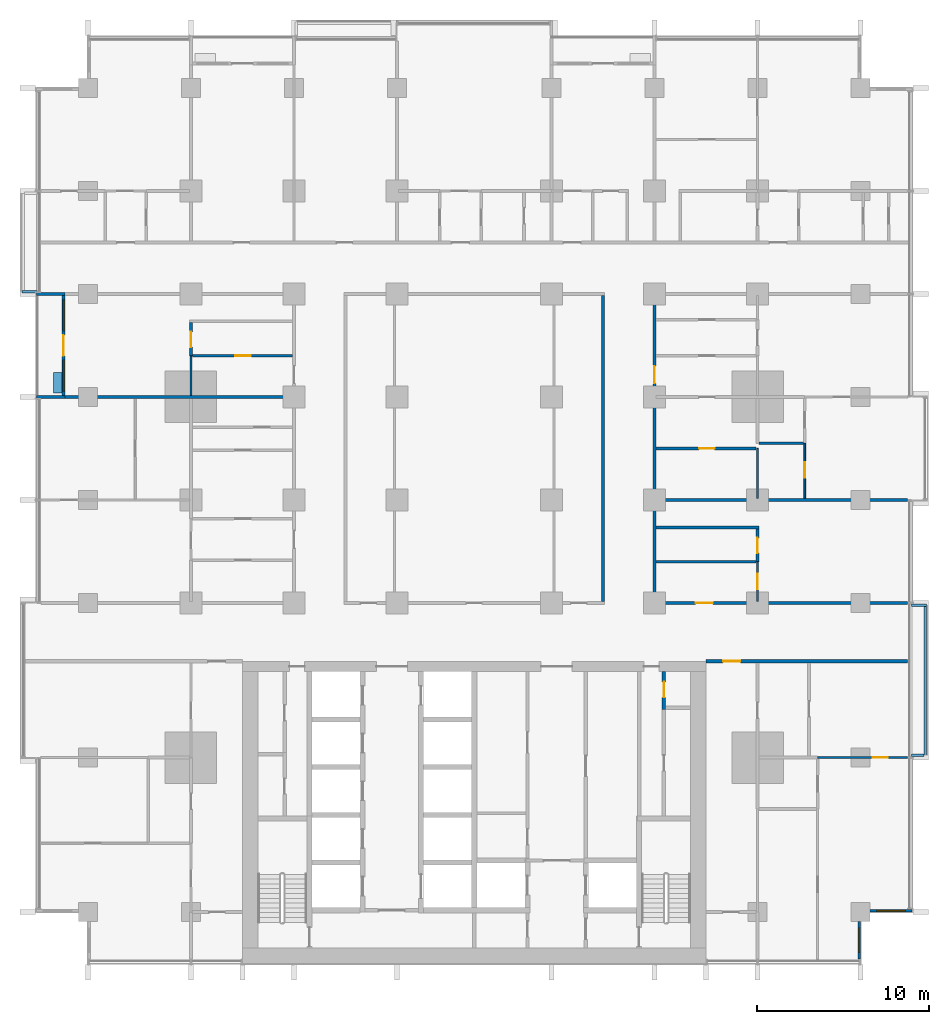
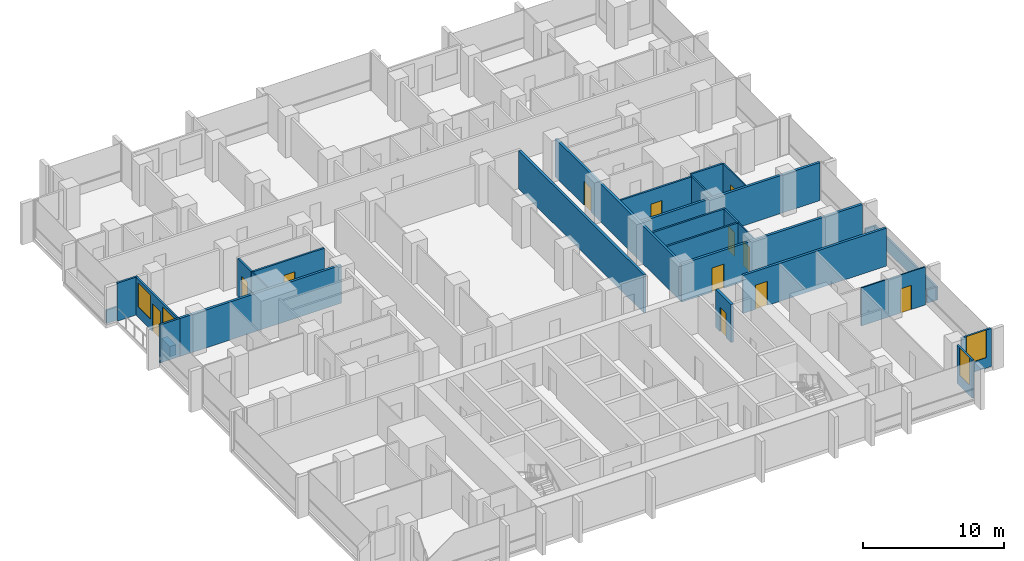
# One storey, part 10 of 18: 29 walls, 12 doors, 4 windows, 16 openings.
"""IFC4 building model written with IfcOpenShell, lengths in metres."""

from ifc_helpers import new_model, si_unit, direction, frame, frame_2d, origin, place, context, subcontext, project, spatial, rectangle, extrude, material, layer, layer_set, type_object, element, fill, save


model = new_model("IFC4")

# Units and contexts
model_context = context("Model", 3, precision=1e-05, world=origin(), true_north=direction((0.0, 1.0)))
body_context = subcontext(model_context, "Body", "Model", "MODEL_VIEW")
ifc_project = project(units=[si_unit("LENGTHUNIT", "METRE"), si_unit("AREAUNIT", "SQUARE_METRE"), si_unit("VOLUMEUNIT", "CUBIC_METRE"), si_unit("PLANEANGLEUNIT", "RADIAN"), si_unit("MASSUNIT", "GRAM", prefix="KILO")], contexts=[model_context])

# Site, building, storey
site_placement = place(None, origin())
site = spatial("IfcSite", under=ifc_project, at=site_placement, CompositionType="ELEMENT")
building_placement = place(site_placement, origin())
building = spatial("IfcBuilding", under=site, at=building_placement, Name="Finial Court Residences", CompositionType="ELEMENT")
storey_placement = place(building_placement, frame((0.0, 0.0, 39.699951171875)))
storey = spatial("IfcBuildingStorey", under=building, at=storey_placement, Name="L08", CompositionType="ELEMENT", Elevation=39.699951171875)

# Walls
ifc_material_1 = material(Name="Gypsum board")
ifc_layer_1 = layer(ifc_material_1, 0.02490234375)
ifc_material_2 = material(Name="Acoustic mineral wool in double frame")
ifc_layer_2 = layer(ifc_material_2, 0.14990234375)
ifc_layer_3 = layer(ifc_material_1, 0.02490234375)
ifc_layer_set_1 = layer_set([ifc_layer_1, ifc_layer_2, ifc_layer_3], Name="Acoustic party wall 200, 1 hour")
wall_type_1 = type_object("IfcWallType", Name="Acoustic party wall 200, 1 hour", PredefinedType="PARTITIONING", material=ifc_layer_set_1)
wall_1_placement = place(storey_placement, frame((10.60009765625, 1.5, 0.0), z_axis=(0.0, 0.0, 1.0), x_axis=(1.0, 0.0, 0.0)))
element("IfcWall", 1, at=wall_1_placement, inside=storey, type_object=wall_type_1, Name="Partition L08-019", PredefinedType="PARTITIONING", context=body_context, shape_type="SweptSolid", body=[
    extrude(rectangle(XDim=14.64990234375, YDim=0.199951171875, at=frame_2d((7.324951171875, 0.0))), origin(), (0.0, 0.0, 1.0), 3.300048828125),
])
wall_2_placement = place(storey_placement, frame((-23.85009765625, 7.5, 0.0), z_axis=(0.0, 0.0, 1.0), x_axis=(1.0, 0.0, 0.0)))
element("IfcWall", 2, at=wall_2_placement, inside=storey, type_object=wall_type_1, Name="Partition L08-025", PredefinedType="PARTITIONING", context=body_context, shape_type="SweptSolid", body=[
    extrude(rectangle(XDim=13.25, YDim=0.199951171875, at=frame_2d((6.625, 0.0))), origin(), (0.0, 0.0, 1.0), 3.300048828125),
])

# Wall, opening, door
ifc_layer_4 = layer(ifc_material_1, 0.02490234375)
ifc_layer_5 = layer(ifc_material_2, 0.14990234375)
ifc_layer_6 = layer(ifc_material_1, 0.02490234375)
ifc_layer_set_2 = layer_set([ifc_layer_4, ifc_layer_5, ifc_layer_6], Name="Corridor wall 200, 1 hour")
wall_type_2 = type_object("IfcWallType", Name="Corridor wall 200, 1 hour", PredefinedType="PARTITIONING", material=ifc_layer_set_2)
wall_3_placement = place(storey_placement, frame((13.5, -7.89990234375, 0.0), z_axis=(0.0, 0.0, 1.0), x_axis=(1.0, 0.0, 0.0)))
wall_3 = element("IfcWall", 3, at=wall_3_placement, inside=storey, type_object=wall_type_2, Name="Partition L08-010", PredefinedType="PARTITIONING", context=body_context, shape_type="SweptSolid", body=[
    extrude(rectangle(XDim=11.75, YDim=0.199951171875, at=frame_2d((5.875, 0.0))), origin(), (0.0, 0.0, 1.0), 3.300048828125),
])
opening_1_placement = place(wall_3_placement, frame((1.0, 0.0, 0.0)))
opening_1 = element("IfcOpeningElement", 4, at=opening_1_placement, cuts=wall_3, Name="Opening L08-D006", PredefinedType="OPENING", context=body_context, shape_type="SweptSolid", body=[
    extrude(rectangle(XDim=1.0, YDim=2.10009765625, at=frame_2d((0.5, 1.050048828125))), frame((0.0, 0.10986328125, 0.0), z_axis=(0.0, -1.0, 0.0), x_axis=(1.0, 0.0, 0.0)), (0.0, 0.0, 1.0), 0.219970703125),
])
ifc_material_3 = material(Name="Timber door leaf in hollow metal frame", Category="wood")
door_type_1 = type_object("IfcDoorType", Name="Fire door set 1000 x 2100, 30 minutes", OperationType="SINGLE_SWING_LEFT", PredefinedType="DOOR", material=ifc_material_3)
door_1_placement = place(opening_1_placement, origin())
door_1 = element("IfcDoor", 5, at=door_1_placement, inside=storey, type_object=door_type_1, Name="Door L08-D006", OperationType="SINGLE_SWING_LEFT", OverallHeight=2.10009765625, OverallWidth=1.0, PredefinedType="DOOR", context=body_context, shape_type="SweptSolid", body=[
    extrude(rectangle(XDim=1.0, YDim=2.10009765625, at=frame_2d((0.5, 1.050048828125))), frame((0.0, 0.02490234375, 0.0), z_axis=(0.0, -1.0, 0.0), x_axis=(1.0, 0.0, 0.0)), (0.0, 0.0, 1.0), 0.050048828125),
])
fill(opening_1, door_1)

wall_4_placement = place(storey_placement, frame((10.39990234375, -4.5, 0.0), z_axis=(0.0, 0.0, 1.0), x_axis=(1.0, 0.0, 0.0)))
wall_4 = element("IfcWall", 6, at=wall_4_placement, inside=storey, type_object=wall_type_2, Name="Partition L08-013", PredefinedType="PARTITIONING", context=body_context, shape_type="SweptSolid", body=[
    extrude(rectangle(XDim=14.85009765625, YDim=0.199951171875, at=frame_2d((7.425048828125, 0.0))), origin(), (0.0, 0.0, 1.0), 3.300048828125),
])
opening_2_placement = place(wall_4_placement, frame((2.5, 0.0, 0.0)))
opening_2 = element("IfcOpeningElement", 7, at=opening_2_placement, cuts=wall_4, Name="Opening L08-D010", PredefinedType="OPENING", context=body_context, shape_type="SweptSolid", body=[
    extrude(rectangle(XDim=1.0, YDim=2.10009765625, at=frame_2d((0.5, 1.050048828125))), frame((0.0, 0.10986328125, 0.0), z_axis=(0.0, -1.0, 0.0), x_axis=(1.0, 0.0, 0.0)), (0.0, 0.0, 1.0), 0.219970703125),
])
door_2_placement = place(opening_2_placement, origin())
door_2 = element("IfcDoor", 8, at=door_2_placement, inside=storey, type_object=door_type_1, Name="Door L08-D010", OperationType="SINGLE_SWING_RIGHT", OverallHeight=2.10009765625, OverallWidth=1.0, PredefinedType="DOOR", context=body_context, shape_type="SweptSolid", body=[
    extrude(rectangle(XDim=1.0, YDim=2.10009765625, at=frame_2d((0.5, 1.050048828125))), frame((0.0, 0.02490234375, 0.0), z_axis=(0.0, -1.0, 0.0), x_axis=(1.0, 0.0, 0.0)), (0.0, 0.0, 1.0), 0.050048828125),
])
fill(opening_2, door_2)

# Wall
wall_5_placement = place(storey_placement, frame((7.5, -4.39990234375, 0.0), z_axis=(0.0, 0.0, 1.0), x_axis=(0.0, 1.0, 0.0)))
element("IfcWall", 9, at=wall_5_placement, inside=storey, type_object=wall_type_2, Name="Partition L08-073", PredefinedType="PARTITIONING", context=body_context, shape_type="SweptSolid", body=[
    extrude(rectangle(XDim=17.7998046875, YDim=0.199951171875, at=frame_2d((8.89990234375, 0.0))), origin(), (0.0, 0.0, 1.0), 3.300048828125),
])

# Wall, opening, door
wall_6_placement = place(storey_placement, frame((10.5, -4.39990234375, 0.0), z_axis=(0.0, 0.0, 1.0), x_axis=(0.0, 1.0, 0.0)))
wall_6 = element("IfcWall", 10, at=wall_6_placement, inside=storey, type_object=wall_type_2, Name="Partition L08-075", PredefinedType="PARTITIONING", context=body_context, shape_type="SweptSolid", body=[
    extrude(rectangle(XDim=17.7998046875, YDim=0.199951171875, at=frame_2d((8.89990234375, 0.0))), origin(), (0.0, 0.0, 1.0), 3.300048828125),
])
opening_3_placement = place(wall_6_placement, frame((12.699951171875, 0.0, 0.0)))
opening_3 = element("IfcOpeningElement", 11, at=opening_3_placement, cuts=wall_6, Name="Opening L08-D047", PredefinedType="OPENING", context=body_context, shape_type="SweptSolid", body=[
    extrude(rectangle(XDim=1.0, YDim=2.10009765625, at=frame_2d((0.5, 1.050048828125))), frame((0.0, 0.10986328125, 0.0), z_axis=(0.0, -1.0, 0.0), x_axis=(1.0, 0.0, 0.0)), (0.0, 0.0, 1.0), 0.219970703125),
])
door_3_placement = place(opening_3_placement, origin())
door_3 = element("IfcDoor", 12, at=door_3_placement, inside=storey, type_object=door_type_1, Name="Door L08-D047", OperationType="SINGLE_SWING_RIGHT", OverallHeight=2.10009765625, OverallWidth=1.0, PredefinedType="DOOR", context=body_context, shape_type="SweptSolid", body=[
    extrude(rectangle(XDim=1.0, YDim=2.10009765625, at=frame_2d((0.5, 1.050048828125))), frame((0.0, 0.02490234375, 0.0), z_axis=(0.0, -1.0, 0.0), x_axis=(1.0, 0.0, 0.0)), (0.0, 0.0, 1.0), 0.050048828125),
])
fill(opening_3, door_3)

ifc_layer_7 = layer(ifc_material_1, 0.012451171875)
ifc_material_4 = material(Name="Mineral wool in light-gauge frame")
ifc_layer_8 = layer(ifc_material_4, 0.074951171875)
ifc_layer_9 = layer(ifc_material_1, 0.012451171875)
ifc_layer_set_3 = layer_set([ifc_layer_7, ifc_layer_8, ifc_layer_9], Name="Gypsum board partition 100")
wall_type_3 = type_object("IfcWallType", Name="Gypsum board partition 100", PredefinedType="PARTITIONING", material=ifc_layer_set_3)
wall_7_placement = place(storey_placement, frame((20.0, -13.5, 0.0), z_axis=(0.0, 0.0, 1.0), x_axis=(1.0, 0.0, 0.0)))
wall_7 = element("IfcWall", 13, at=wall_7_placement, inside=storey, type_object=wall_type_3, Name="Partition L08-006", PredefinedType="PARTITIONING", context=body_context, shape_type="SweptSolid", body=[
    extrude(rectangle(XDim=5.25, YDim=0.10009765625, at=frame_2d((2.625, 0.0))), origin(), (0.0, 0.0, 1.0), 3.300048828125),
])
opening_4_placement = place(wall_7_placement, frame((3.199951171875, 0.0, 0.0)))
opening_4 = element("IfcOpeningElement", 14, at=opening_4_placement, cuts=wall_7, Name="Opening L08-D004", PredefinedType="OPENING", context=body_context, shape_type="SweptSolid", body=[
    extrude(rectangle(XDim=0.89990234375, YDim=2.10009765625, at=frame_2d((0.449951171875, 1.050048828125))), frame((0.0, 0.06005859375, 0.0), z_axis=(0.0, -1.0, 0.0), x_axis=(1.0, 0.0, 0.0)), (0.0, 0.0, 1.0), 0.1201171875),
])
ifc_material_5 = material(Name="Timber door leaf in timber frame", Category="wood")
door_type_2 = type_object("IfcDoorType", Name="Door set 900 x 2100", OperationType="SINGLE_SWING_LEFT", PredefinedType="DOOR", material=ifc_material_5)
door_4_placement = place(opening_4_placement, origin())
door_4 = element("IfcDoor", 15, at=door_4_placement, inside=storey, type_object=door_type_2, Name="Door L08-D004", OperationType="SINGLE_SWING_RIGHT", OverallHeight=2.10009765625, OverallWidth=0.89990234375, PredefinedType="DOOR", context=body_context, shape_type="SweptSolid", body=[
    extrude(rectangle(XDim=0.89990234375, YDim=2.10009765625, at=frame_2d((0.449951171875, 1.050048828125))), frame((0.0, 0.02490234375, 0.0), z_axis=(0.0, -1.0, 0.0), x_axis=(1.0, 0.0, 0.0)), (0.0, 0.0, 1.0), 0.050048828125),
])
fill(opening_4, door_4)

# Wall
wall_8_placement = place(storey_placement, frame((-16.5, 7.60009765625, 0.0), z_axis=(0.0, 0.0, 1.0), x_axis=(0.0, 1.0, 0.0)))
element("IfcWall", 16, at=wall_8_placement, inside=storey, type_object=wall_type_3, Name="Partition L08-055", PredefinedType="PARTITIONING", context=body_context, shape_type="SweptSolid", body=[
    extrude(rectangle(XDim=2.2998046875, YDim=0.10009765625, at=frame_2d((1.14990234375, 0.0))), origin(), (0.0, 0.0, 1.0), 3.300048828125),
])

# Wall, opening, door
wall_9_placement = place(storey_placement, frame((16.5, -4.39990234375, 0.0), z_axis=(0.0, 0.0, 1.0), x_axis=(0.0, 1.0, 0.0)))
wall_9 = element("IfcWall", 17, at=wall_9_placement, inside=storey, type_object=wall_type_3, Name="Partition L08-079", PredefinedType="PARTITIONING", context=body_context, shape_type="SweptSolid", body=[
    extrude(rectangle(XDim=2.2998046875, YDim=0.10009765625, at=frame_2d((1.14990234375, 0.0))), origin(), (0.0, 0.0, 1.0), 3.300048828125),
])
opening_5_placement = place(wall_9_placement, frame((0.699951171875, 0.0, 0.0)))
opening_5 = element("IfcOpeningElement", 18, at=opening_5_placement, cuts=wall_9, Name="Opening L08-D048", PredefinedType="OPENING", context=body_context, shape_type="SweptSolid", body=[
    extrude(rectangle(XDim=0.89990234375, YDim=2.10009765625, at=frame_2d((0.449951171875, 1.050048828125))), frame((0.0, 0.06005859375, 0.0), z_axis=(0.0, -1.0, 0.0), x_axis=(1.0, 0.0, 0.0)), (0.0, 0.0, 1.0), 0.1201171875),
])
door_5_placement = place(opening_5_placement, origin())
door_5 = element("IfcDoor", 19, at=door_5_placement, inside=storey, type_object=door_type_2, Name="Door L08-D048", OperationType="SINGLE_SWING_LEFT", OverallHeight=2.10009765625, OverallWidth=0.89990234375, PredefinedType="DOOR", context=body_context, shape_type="SweptSolid", body=[
    extrude(rectangle(XDim=0.89990234375, YDim=2.10009765625, at=frame_2d((0.449951171875, 1.050048828125))), frame((0.0, 0.02490234375, 0.0), z_axis=(0.0, -1.0, 0.0), x_axis=(1.0, 0.0, 0.0)), (0.0, 0.0, 1.0), 0.050048828125),
])
fill(opening_5, door_5)

# Wall
wall_10_placement = place(storey_placement, frame((16.5, 1.60009765625, 0.0), z_axis=(0.0, 0.0, 1.0), x_axis=(0.0, 1.0, 0.0)))
element("IfcWall", 20, at=wall_10_placement, inside=storey, type_object=wall_type_3, Name="Partition L08-080", PredefinedType="PARTITIONING", context=body_context, shape_type="SweptSolid", body=[
    extrude(rectangle(XDim=2.89990234375, YDim=0.10009765625, at=frame_2d((1.449951171875, 0.0))), origin(), (0.0, 0.0, 1.0), 3.300048828125),
])

# Wall, opening, door
wall_11_placement = place(storey_placement, frame((19.25, 1.60009765625, 0.0), z_axis=(0.0, 0.0, 1.0), x_axis=(0.0, 1.0, 0.0)))
wall_11 = element("IfcWall", 21, at=wall_11_placement, inside=storey, type_object=wall_type_3, Name="Partition L08-091", PredefinedType="PARTITIONING", context=body_context, shape_type="SweptSolid", body=[
    extrude(rectangle(XDim=3.199951171875, YDim=0.10009765625, at=frame_2d((1.60009765625, 0.0))), origin(), (0.0, 0.0, 1.0), 3.300048828125),
])
opening_6_placement = place(wall_11_placement, frame((1.199951171875, 0.0, 0.0)))
opening_6 = element("IfcOpeningElement", 22, at=opening_6_placement, cuts=wall_11, Name="Opening L08-D055", PredefinedType="OPENING", context=body_context, shape_type="SweptSolid", body=[
    extrude(rectangle(XDim=0.89990234375, YDim=2.10009765625, at=frame_2d((0.449951171875, 1.050048828125))), frame((0.0, 0.06005859375, 0.0), z_axis=(0.0, -1.0, 0.0), x_axis=(1.0, 0.0, 0.0)), (0.0, 0.0, 1.0), 0.1201171875),
])
door_6_placement = place(opening_6_placement, origin())
door_6 = element("IfcDoor", 23, at=door_6_placement, inside=storey, type_object=door_type_2, Name="Door L08-D055", OperationType="SINGLE_SWING_RIGHT", OverallHeight=2.10009765625, OverallWidth=0.89990234375, PredefinedType="DOOR", context=body_context, shape_type="SweptSolid", body=[
    extrude(rectangle(XDim=0.89990234375, YDim=2.10009765625, at=frame_2d((0.449951171875, 1.050048828125))), frame((0.0, 0.02490234375, 0.0), z_axis=(0.0, -1.0, 0.0), x_axis=(1.0, 0.0, 0.0)), (0.0, 0.0, 1.0), 0.050048828125),
])
fill(opening_6, door_6)

# Walls
ifc_material_6 = material(Name="Moisture-resistant gypsum board")
ifc_layer_10 = layer(ifc_material_6, 0.012451171875)
ifc_layer_11 = layer(ifc_material_4, 0.125)
ifc_layer_12 = layer(ifc_material_6, 0.012451171875)
ifc_layer_set_4 = layer_set([ifc_layer_10, ifc_layer_11, ifc_layer_12], Name="Gypsum board wet-area partition 150")
wall_type_4 = type_object("IfcWallType", Name="Gypsum board wet-area partition 150", PredefinedType="PARTITIONING", material=ifc_layer_set_4)
wall_12_placement = place(storey_placement, frame((10.60009765625, -2.10009765625, 0.0), z_axis=(0.0, 0.0, 1.0), x_axis=(1.0, 0.0, 0.0)))
element("IfcWall", 24, at=wall_12_placement, inside=storey, type_object=wall_type_4, Name="Partition L08-014", PredefinedType="PARTITIONING", context=body_context, shape_type="SweptSolid", body=[
    extrude(rectangle(XDim=5.824951171875, YDim=0.14990234375, at=frame_2d((2.91259765625, 0.0))), origin(), (0.0, 0.0, 1.0), 3.300048828125),
])
wall_13_placement = place(storey_placement, frame((10.60009765625, -0.10009765625, 0.0), z_axis=(0.0, 0.0, 1.0), x_axis=(1.0, 0.0, 0.0)))
element("IfcWall", 25, at=wall_13_placement, inside=storey, type_object=wall_type_4, Name="Partition L08-016", PredefinedType="PARTITIONING", context=body_context, shape_type="SweptSolid", body=[
    extrude(rectangle(XDim=5.974853515625, YDim=0.14990234375, at=frame_2d((2.9873046875, 0.0))), origin(), (0.0, 0.0, 1.0), 3.300048828125),
])

# Wall, opening, door
wall_14_placement = place(storey_placement, frame((10.60009765625, 4.5, 0.0), z_axis=(0.0, 0.0, 1.0), x_axis=(1.0, 0.0, 0.0)))
wall_14 = element("IfcWall", 26, at=wall_14_placement, inside=storey, type_object=wall_type_4, Name="Partition L08-021", PredefinedType="PARTITIONING", context=body_context, shape_type="SweptSolid", body=[
    extrude(rectangle(XDim=5.824951171875, YDim=0.14990234375, at=frame_2d((2.91259765625, 0.0))), origin(), (0.0, 0.0, 1.0), 3.300048828125),
])
opening_7_placement = place(wall_14_placement, frame((2.5, 0.0, 0.0)))
opening_7 = element("IfcOpeningElement", 27, at=opening_7_placement, cuts=wall_14, Name="Opening L08-D015", PredefinedType="OPENING", context=body_context, shape_type="SweptSolid", body=[
    extrude(rectangle(XDim=0.89990234375, YDim=2.10009765625, at=frame_2d((0.449951171875, 1.050048828125))), frame((0.0, 0.0849609375, 0.0), z_axis=(0.0, -1.0, 0.0), x_axis=(1.0, 0.0, 0.0)), (0.0, 0.0, 1.0), 0.169921875),
])
door_7_placement = place(opening_7_placement, origin())
door_7 = element("IfcDoor", 28, at=door_7_placement, inside=storey, type_object=door_type_2, Name="Door L08-D015", OperationType="SINGLE_SWING_RIGHT", OverallHeight=2.10009765625, OverallWidth=0.89990234375, PredefinedType="DOOR", context=body_context, shape_type="SweptSolid", body=[
    extrude(rectangle(XDim=0.89990234375, YDim=2.10009765625, at=frame_2d((0.449951171875, 1.050048828125))), frame((0.0, 0.02490234375, 0.0), z_axis=(0.0, -1.0, 0.0), x_axis=(1.0, 0.0, 0.0)), (0.0, 0.0, 1.0), 0.050048828125),
])
fill(opening_7, door_7)

# Wall
wall_15_placement = place(storey_placement, frame((16.574951171875, 4.800048828125, 0.0), z_axis=(0.0, 0.0, 1.0), x_axis=(1.0, 0.0, 0.0)))
element("IfcWall", 29, at=wall_15_placement, inside=storey, type_object=wall_type_4, Name="Partition L08-022", PredefinedType="PARTITIONING", context=body_context, shape_type="SweptSolid", body=[
    extrude(rectangle(XDim=2.60009765625, YDim=0.14990234375, at=frame_2d((1.300048828125, 0.0))), origin(), (0.0, 0.0, 1.0), 3.300048828125),
])

# Wall, opening, door
wall_16_placement = place(storey_placement, frame((-16.425048828125, 9.89990234375, 0.0), z_axis=(0.0, 0.0, 1.0), x_axis=(1.0, 0.0, 0.0)))
wall_16 = element("IfcWall", 30, at=wall_16_placement, inside=storey, type_object=wall_type_4, Name="Partition L08-027", PredefinedType="PARTITIONING", context=body_context, shape_type="SweptSolid", body=[
    extrude(rectangle(XDim=5.824951171875, YDim=0.14990234375, at=frame_2d((2.91259765625, 0.0))), origin(), (0.0, 0.0, 1.0), 3.300048828125),
])
opening_8_placement = place(wall_16_placement, frame((2.5, 0.0, 0.0)))
opening_8 = element("IfcOpeningElement", 31, at=opening_8_placement, cuts=wall_16, Name="Opening L08-D019", PredefinedType="OPENING", context=body_context, shape_type="SweptSolid", body=[
    extrude(rectangle(XDim=0.89990234375, YDim=2.10009765625, at=frame_2d((0.449951171875, 1.050048828125))), frame((0.0, 0.0849609375, 0.0), z_axis=(0.0, -1.0, 0.0), x_axis=(1.0, 0.0, 0.0)), (0.0, 0.0, 1.0), 0.169921875),
])
door_8_placement = place(opening_8_placement, origin())
door_8 = element("IfcDoor", 32, at=door_8_placement, inside=storey, type_object=door_type_2, Name="Door L08-D019", OperationType="SINGLE_SWING_RIGHT", OverallHeight=2.10009765625, OverallWidth=0.89990234375, PredefinedType="DOOR", context=body_context, shape_type="SweptSolid", body=[
    extrude(rectangle(XDim=0.89990234375, YDim=2.10009765625, at=frame_2d((0.449951171875, 1.050048828125))), frame((0.0, 0.02490234375, 0.0), z_axis=(0.0, -1.0, 0.0), x_axis=(1.0, 0.0, 0.0)), (0.0, 0.0, 1.0), 0.050048828125),
])
fill(opening_8, door_8)

wall_17_placement = place(storey_placement, frame((-16.5, 9.89990234375, 0.0), z_axis=(0.0, 0.0, 1.0), x_axis=(0.0, 1.0, 0.0)))
wall_17 = element("IfcWall", 33, at=wall_17_placement, inside=storey, type_object=wall_type_4, Name="Partition L08-060", PredefinedType="PARTITIONING", context=body_context, shape_type="SweptSolid", body=[
    extrude(rectangle(XDim=1.925048828125, YDim=0.14990234375, at=frame_2d((0.96240234375, 0.0))), origin(), (0.0, 0.0, 1.0), 3.300048828125),
])
opening_9_placement = place(wall_17_placement, frame((0.5, 0.0, 0.0)))
opening_9 = element("IfcOpeningElement", 34, at=opening_9_placement, cuts=wall_17, Name="Opening L08-D041", PredefinedType="OPENING", context=body_context, shape_type="SweptSolid", body=[
    extrude(rectangle(XDim=0.89990234375, YDim=2.10009765625, at=frame_2d((0.449951171875, 1.050048828125))), frame((0.0, 0.0849609375, 0.0), z_axis=(0.0, -1.0, 0.0), x_axis=(1.0, 0.0, 0.0)), (0.0, 0.0, 1.0), 0.169921875),
])
door_9_placement = place(opening_9_placement, origin())
door_9 = element("IfcDoor", 35, at=door_9_placement, inside=storey, type_object=door_type_2, Name="Door L08-D041", OperationType="SINGLE_SWING_RIGHT", OverallHeight=2.10009765625, OverallWidth=0.89990234375, PredefinedType="DOOR", context=body_context, shape_type="SweptSolid", body=[
    extrude(rectangle(XDim=0.89990234375, YDim=2.10009765625, at=frame_2d((0.449951171875, 1.050048828125))), frame((0.0, 0.02490234375, 0.0), z_axis=(0.0, -1.0, 0.0), x_axis=(1.0, 0.0, 0.0)), (0.0, 0.0, 1.0), 0.050048828125),
])
fill(opening_9, door_9)

wall_18_placement = place(storey_placement, frame((16.5, -2.10009765625, 0.0), z_axis=(0.0, 0.0, 1.0), x_axis=(0.0, 1.0, 0.0)))
wall_18 = element("IfcWall", 36, at=wall_18_placement, inside=storey, type_object=wall_type_4, Name="Partition L08-086", PredefinedType="PARTITIONING", context=body_context, shape_type="SweptSolid", body=[
    extrude(rectangle(XDim=1.925048828125, YDim=0.14990234375, at=frame_2d((0.96240234375, 0.0))), origin(), (0.0, 0.0, 1.0), 3.300048828125),
])
opening_10_placement = place(wall_18_placement, frame((0.5, 0.0, 0.0)))
opening_10 = element("IfcOpeningElement", 37, at=opening_10_placement, cuts=wall_18, Name="Opening L08-D051", PredefinedType="OPENING", context=body_context, shape_type="SweptSolid", body=[
    extrude(rectangle(XDim=0.89990234375, YDim=2.10009765625, at=frame_2d((0.449951171875, 1.050048828125))), frame((0.0, 0.0849609375, 0.0), z_axis=(0.0, -1.0, 0.0), x_axis=(1.0, 0.0, 0.0)), (0.0, 0.0, 1.0), 0.169921875),
])
door_10_placement = place(opening_10_placement, origin())
door_10 = element("IfcDoor", 38, at=door_10_placement, inside=storey, type_object=door_type_2, Name="Door L08-D051", OperationType="SINGLE_SWING_LEFT", OverallHeight=2.10009765625, OverallWidth=0.89990234375, PredefinedType="DOOR", context=body_context, shape_type="SweptSolid", body=[
    extrude(rectangle(XDim=0.89990234375, YDim=2.10009765625, at=frame_2d((0.449951171875, 1.050048828125))), frame((0.0, 0.02490234375, 0.0), z_axis=(0.0, -1.0, 0.0), x_axis=(1.0, 0.0, 0.0)), (0.0, 0.0, 1.0), 0.050048828125),
])
fill(opening_10, door_10)

# Walls
ifc_material_7 = material(Name="Concrete C35/45", Category="concrete")
ifc_layer_13 = layer(ifc_material_7, 0.14990234375)
ifc_layer_set_5 = layer_set([ifc_layer_13], Name="Ledge parapet, Concrete C35/45 150")
wall_type_5 = type_object("IfcWallType", Name="Ledge parapet, Concrete C35/45 150", PredefinedType="PARAPET", material=ifc_layer_set_5)
for number, where, z_axis, x_axis, name in (
    (39, (-25.4599609375, 13.625, 0.0), (0.0, 0.0, 1.0), (-1.0, 0.0, 0.0), "E-L08-LED1-P1"),
    (40, (25.4599609375, -4.625, 0.0), (0.0, 0.0, 1.0), (1.0, 0.0, 0.0), "E-L08-LED3-P1"),
):
    element("IfcWall", number, at=place(storey_placement, frame(where, z_axis=z_axis, x_axis=x_axis)), inside=storey, type_object=wall_type_5, Name=name, PredefinedType="PARAPET", context=body_context, shape_type="SweptSolid", body=[
        extrude(rectangle(XDim=0.89013671875, YDim=0.14990234375, at=frame_2d((0.445068359375, 0.0))), origin(), (0.0, 0.0, 1.0), 1.150146484375),
    ])
wall_19_placement = place(storey_placement, frame((26.27490234375, -4.699951171875, 0.0), z_axis=(0.0, 0.0, 1.0), x_axis=(0.0, -1.0, 0.0)))
element("IfcWall", 41, at=wall_19_placement, inside=storey, type_object=wall_type_5, Name="E-L08-LED3-P2", PredefinedType="PARAPET", context=body_context, shape_type="SweptSolid", body=[
    extrude(rectangle(XDim=8.75, YDim=0.14990234375, at=frame_2d((4.375, 0.0))), origin(), (0.0, 0.0, 1.0), 1.150146484375),
])
wall_20_placement = place(storey_placement, frame((26.199951171875, -13.375, 0.0), z_axis=(0.0, 0.0, 1.0), x_axis=(-1.0, 0.0, 0.0)))
element("IfcWall", 42, at=wall_20_placement, inside=storey, type_object=wall_type_5, Name="E-L08-LED3-P3", PredefinedType="PARAPET", context=body_context, shape_type="SweptSolid", body=[
    extrude(rectangle(XDim=0.739990234375, YDim=0.14990234375, at=frame_2d((0.3701171875, 0.0))), origin(), (0.0, 0.0, 1.0), 1.150146484375),
])

# Wall, opening, window
ifc_material_8 = material(Name="Natural limestone", Category="masonry")
ifc_layer_14 = layer(ifc_material_8, 0.14990234375)
ifc_layer_set_6 = layer_set([ifc_layer_14], Name="Limestone clad wall 150")
wall_type_6 = type_object("IfcWallType", Name="Limestone clad wall 150", PredefinedType="SOLIDWALL", material=ifc_layer_set_6)
wall_21_placement = place(storey_placement, frame((22.425048828125, -23.050048828125, 0.0), z_axis=(0.0, 0.0, 1.0), x_axis=(0.0, -1.0, 0.0)))
wall_21 = element("IfcWall", 43, at=wall_21_placement, inside=storey, type_object=wall_type_6, Name="E-L08-NWE16", PredefinedType="SOLIDWALL", context=body_context, shape_type="SweptSolid", body=[
    extrude(rectangle(XDim=2.199951171875, YDim=0.14990234375, at=frame_2d((1.10009765625, 0.0))), origin(), (0.0, 0.0, 1.0), 3.300048828125),
])
opening_11_placement = place(wall_21_placement, frame((0.39990234375, 0.0, 0.89990234375)))
opening_11 = element("IfcOpeningElement", 44, at=opening_11_placement, cuts=wall_21, Name="Opening WE08-03", PredefinedType="OPENING", context=body_context, shape_type="SweptSolid", body=[
    extrude(rectangle(XDim=1.39990234375, YDim=2.39990234375, at=frame_2d((0.699951171875, 1.199951171875))), frame((0.0, 0.0849609375, 0.0), z_axis=(0.0, -1.0, 0.0), x_axis=(1.0, 0.0, 0.0)), (0.0, 0.0, 1.0), 0.169921875),
])
ifc_material_9 = material(Name="Clear low-e glass", Category="glass")
window_type_1 = type_object("IfcWindowType", Name="Corner window 1400 x 2400", PartitioningType="SINGLE_PANEL", PredefinedType="WINDOW", material=ifc_material_9)
window_1_placement = place(opening_11_placement, origin())
window_1 = element("IfcWindow", 45, at=window_1_placement, inside=storey, type_object=window_type_1, Name="E-L08-NWE16-W1", OverallHeight=2.39990234375, OverallWidth=1.39990234375, PartitioningType="SINGLE_PANEL", PredefinedType="WINDOW", context=body_context, shape_type="SweptSolid", body=[
    extrude(rectangle(XDim=1.39990234375, YDim=2.39990234375, at=frame_2d((0.699951171875, 1.199951171875))), frame((0.0, 0.030029296875, 0.0), z_axis=(0.0, -1.0, 0.0), x_axis=(1.0, 0.0, 0.0)), (0.0, 0.0, 1.0), 0.06005859375),
])
fill(opening_11, window_1)

wall_22_placement = place(storey_placement, frame((25.5, -22.425048828125, 0.0), z_axis=(0.0, 0.0, 1.0), x_axis=(-1.0, 0.0, 0.0)))
wall_22 = element("IfcWall", 46, at=wall_22_placement, inside=storey, type_object=wall_type_6, Name="E-L08-NWS17", PredefinedType="SOLIDWALL", context=body_context, shape_type="SweptSolid", body=[
    extrude(rectangle(XDim=2.449951171875, YDim=0.14990234375, at=frame_2d((1.22509765625, 0.0))), origin(), (0.0, 0.0, 1.0), 3.300048828125),
])
opening_12_placement = place(wall_22_placement, frame((0.39990234375, 0.0, 0.89990234375)))
opening_12 = element("IfcOpeningElement", 47, at=opening_12_placement, cuts=wall_22, Name="Opening WE08-04", PredefinedType="OPENING", context=body_context, shape_type="SweptSolid", body=[
    extrude(rectangle(XDim=1.64990234375, YDim=2.39990234375, at=frame_2d((0.824951171875, 1.199951171875))), frame((0.0, 0.0849609375, 0.0), z_axis=(0.0, -1.0, 0.0), x_axis=(1.0, 0.0, 0.0)), (0.0, 0.0, 1.0), 0.169921875),
])
window_type_2 = type_object("IfcWindowType", Name="Corner window 1650 x 2400", PartitioningType="SINGLE_PANEL", PredefinedType="WINDOW", material=ifc_material_9)
window_2_placement = place(opening_12_placement, origin())
window_2 = element("IfcWindow", 48, at=window_2_placement, inside=storey, type_object=window_type_2, Name="E-L08-NWS17-W1", OverallHeight=2.39990234375, OverallWidth=1.64990234375, PartitioningType="SINGLE_PANEL", PredefinedType="WINDOW", context=body_context, shape_type="SweptSolid", body=[
    extrude(rectangle(XDim=1.64990234375, YDim=2.39990234375, at=frame_2d((0.824951171875, 1.199951171875))), frame((0.0, 0.030029296875, 0.0), z_axis=(0.0, -1.0, 0.0), x_axis=(1.0, 0.0, 0.0)), (0.0, 0.0, 1.0), 0.06005859375),
])
fill(opening_12, window_2)

# Walls
for number, where, z_axis, x_axis, name in (
    (49, (-23.85009765625, 7.5, 0.0), (0.0, 0.0, 1.0), (-1.0, 0.0, 0.0), "E-L08-BALW5-P1"),
    (50, (-23.85009765625, 13.5, 0.0), (0.0, 0.0, 1.0), (-1.0, 0.0, 0.0), "E-L08-BALW5-P2"),
):
    element("IfcWall", number, at=place(storey_placement, frame(where, z_axis=z_axis, x_axis=x_axis)), inside=storey, type_object=wall_type_6, Name=name, PredefinedType="SOLIDWALL", context=body_context, shape_type="SweptSolid", body=[
        extrude(rectangle(XDim=1.64990234375, YDim=0.14990234375, at=frame_2d((0.824951171875, 0.0))), origin(), (0.0, 0.0, 1.0), 3.300048828125),
    ])

# Wall, openings, door, windows
wall_23_placement = place(storey_placement, frame((-23.925048828125, 7.574951171875, 0.0), z_axis=(0.0, 0.0, 1.0), x_axis=(0.0, 1.0, 0.0)))
wall_23 = element("IfcWall", 51, at=wall_23_placement, inside=storey, type_object=wall_type_6, Name="E-L08-L08-BALW5-W", PredefinedType="SOLIDWALL", context=body_context, shape_type="SweptSolid", body=[
    extrude(rectangle(XDim=5.85009765625, YDim=0.14990234375, at=frame_2d((2.925048828125, 0.0))), origin(), (0.0, 0.0, 1.0), 3.300048828125),
])
opening_13_placement = place(wall_23_placement, frame((2.324951171875, 0.0, 0.0)))
opening_13 = element("IfcOpeningElement", 52, at=opening_13_placement, cuts=wall_23, Name="Opening DE08-03", PredefinedType="OPENING", context=body_context, shape_type="SweptSolid", body=[
    extrude(rectangle(XDim=1.199951171875, YDim=2.39990234375, at=frame_2d((0.60009765625, 1.199951171875))), frame((0.0, 0.0849609375, 0.0), z_axis=(0.0, -1.0, 0.0), x_axis=(1.0, 0.0, 0.0)), (0.0, 0.0, 1.0), 0.169921875),
])
opening_14_placement = place(wall_23_placement, frame((0.262451171875, 0.0, 0.89990234375)))
opening_14 = element("IfcOpeningElement", 53, at=opening_14_placement, cuts=wall_23, Name="Opening WE08-13", PredefinedType="OPENING", context=body_context, shape_type="SweptSolid", body=[
    extrude(rectangle(XDim=1.800048828125, YDim=2.10009765625, at=frame_2d((0.89990234375, 1.050048828125))), frame((0.0, 0.0849609375, 0.0), z_axis=(0.0, -1.0, 0.0), x_axis=(1.0, 0.0, 0.0)), (0.0, 0.0, 1.0), 0.169921875),
])
opening_15_placement = place(wall_23_placement, frame((3.78759765625, 0.0, 0.89990234375)))
opening_15 = element("IfcOpeningElement", 54, at=opening_15_placement, cuts=wall_23, Name="Opening WE08-14", PredefinedType="OPENING", context=body_context, shape_type="SweptSolid", body=[
    extrude(rectangle(XDim=1.800048828125, YDim=2.10009765625, at=frame_2d((0.89990234375, 1.050048828125))), frame((0.0, 0.0849609375, 0.0), z_axis=(0.0, -1.0, 0.0), x_axis=(1.0, 0.0, 0.0)), (0.0, 0.0, 1.0), 0.169921875),
])
ifc_material_10 = material(Name="Bronze anodised aluminium", Category="aluminium")
door_type_3 = type_object("IfcDoorType", Name="Balcony door 1200 x 2400", OperationType="SINGLE_SWING_LEFT", PredefinedType="DOOR", material=ifc_material_10)
door_11_placement = place(opening_13_placement, origin())
door_11 = element("IfcDoor", 55, at=door_11_placement, inside=storey, type_object=door_type_3, Name="E-L08-L08-BALW5-W-D", OperationType="SINGLE_SWING_LEFT", OverallHeight=2.39990234375, OverallWidth=1.199951171875, PredefinedType="DOOR", context=body_context, shape_type="SweptSolid", body=[
    extrude(rectangle(XDim=1.199951171875, YDim=2.39990234375, at=frame_2d((0.60009765625, 1.199951171875))), frame((0.0, 0.02490234375, 0.0), z_axis=(0.0, -1.0, 0.0), x_axis=(1.0, 0.0, 0.0)), (0.0, 0.0, 1.0), 0.050048828125),
])
fill(opening_13, door_11)
window_type_3 = type_object("IfcWindowType", Name="Balcony window 1800 x 2100", PartitioningType="SINGLE_PANEL", PredefinedType="WINDOW", material=ifc_material_9)
window_3_placement = place(opening_14_placement, origin())
window_3 = element("IfcWindow", 56, at=window_3_placement, inside=storey, type_object=window_type_3, Name="E-L08-L08-BALW5-W-W1", OverallHeight=2.10009765625, OverallWidth=1.800048828125, PartitioningType="SINGLE_PANEL", PredefinedType="WINDOW", context=body_context, shape_type="SweptSolid", body=[
    extrude(rectangle(XDim=1.800048828125, YDim=2.10009765625, at=frame_2d((0.89990234375, 1.050048828125))), frame((0.0, 0.030029296875, 0.0), z_axis=(0.0, -1.0, 0.0), x_axis=(1.0, 0.0, 0.0)), (0.0, 0.0, 1.0), 0.06005859375),
])
fill(opening_14, window_3)
window_4_placement = place(opening_15_placement, origin())
window_4 = element("IfcWindow", 57, at=window_4_placement, inside=storey, type_object=window_type_3, Name="E-L08-L08-BALW5-W-W2", OverallHeight=2.10009765625, OverallWidth=1.800048828125, PartitioningType="SINGLE_PANEL", PredefinedType="WINDOW", context=body_context, shape_type="SweptSolid", body=[
    extrude(rectangle(XDim=1.800048828125, YDim=2.10009765625, at=frame_2d((0.89990234375, 1.050048828125))), frame((0.0, 0.030029296875, 0.0), z_axis=(0.0, -1.0, 0.0), x_axis=(1.0, 0.0, 0.0)), (0.0, 0.0, 1.0), 0.06005859375),
])
fill(opening_15, window_4)

# Wall
ifc_material_11 = material(Name="Concrete C40/50", Category="concrete")
ifc_layer_15 = layer(ifc_material_11, 0.10009765625)
ifc_material_12 = material(Name="Planting soil", Category="soil")
ifc_layer_16 = layer(ifc_material_12, 0.300048828125)
ifc_layer_17 = layer(ifc_material_11, 0.10009765625)
ifc_layer_set_7 = layer_set([ifc_layer_15, ifc_layer_16, ifc_layer_17], Name="Planter wall, balcony")
wall_type_7 = type_object("IfcWallType", Name="Planter wall, balcony", PredefinedType="USERDEFINED", material=ifc_layer_set_7)
wall_24_placement = place(storey_placement, frame((-24.25, 7.72509765625, 0.0), z_axis=(0.0, 0.0, 1.0), x_axis=(0.0, 1.0, 0.0)))
element("IfcWall", 58, at=wall_24_placement, inside=storey, type_object=wall_type_7, Name="E-L08-BALW5-PL", ObjectType="PLANTER", PredefinedType="USERDEFINED", context=body_context, shape_type="SweptSolid", body=[
    extrude(rectangle(XDim=1.199951171875, YDim=0.5, at=frame_2d((0.60009765625, 0.0))), origin(), (0.0, 0.0, 1.0), 0.900146484375),
])

# Wall, opening, door
ifc_material_13 = material(Name="Fire-rated gypsum board partition")
ifc_layer_18 = layer(ifc_material_13, 0.199951171875)
ifc_layer_set_8 = layer_set([ifc_layer_18], Name="Riser room wall 200 EI 120")
wall_type_8 = type_object("IfcWallType", Name="Riser room wall 200 EI 120", PredefinedType="PARTITIONING", material=ifc_layer_set_8)
wall_25_placement = place(storey_placement, frame((11.050048828125, -8.5, 0.0), z_axis=(0.0, 0.0, 1.0), x_axis=(0.0, -1.0, 0.0)))
wall_25 = element("IfcWall", 59, at=wall_25_placement, inside=storey, type_object=wall_type_8, Name="Core partition L08-38", PredefinedType="PARTITIONING", context=body_context, shape_type="SweptSolid", body=[
    extrude(rectangle(XDim=2.199951171875, YDim=0.199951171875, at=frame_2d((1.10009765625, 0.0))), origin(), (0.0, 0.0, 1.0), 3.300048828125),
])
opening_16_placement = place(wall_25_placement, frame((0.60009765625, 0.0, 0.0)))
opening_16 = element("IfcOpeningElement", 60, at=opening_16_placement, cuts=wall_25, Name="Opening L08-C08", PredefinedType="OPENING", context=body_context, shape_type="SweptSolid", body=[
    extrude(rectangle(XDim=0.89990234375, YDim=2.10009765625, at=frame_2d((0.449951171875, 1.050048828125))), frame((0.0, 0.10986328125, 0.0), z_axis=(0.0, -1.0, 0.0), x_axis=(1.0, 0.0, 0.0)), (0.0, 0.0, 1.0), 0.219970703125),
])
ifc_material_14 = material(Name="Steel fire door", Category="steel")
door_type_4 = type_object("IfcDoorType", Name="Riser room door 900 x 2100 EI 90", OperationType="NOTDEFINED", PredefinedType="DOOR", material=ifc_material_14)
door_12_placement = place(opening_16_placement, origin())
door_12 = element("IfcDoor", 61, at=door_12_placement, inside=storey, type_object=door_type_4, Name="Riser room door L08-C08", OperationType="SINGLE_SWING_RIGHT", OverallHeight=2.10009765625, OverallWidth=0.89990234375, PredefinedType="DOOR", context=body_context, shape_type="SweptSolid", body=[
    extrude(rectangle(XDim=0.89990234375, YDim=2.10009765625, at=frame_2d((0.449951171875, 1.050048828125))), frame((0.0, 0.02490234375, 0.0), z_axis=(0.0, -1.0, 0.0), x_axis=(1.0, 0.0, 0.0)), (0.0, 0.0, 1.0), 0.050048828125),
])
fill(opening_16, door_12)

save(model, "model.ifc")
